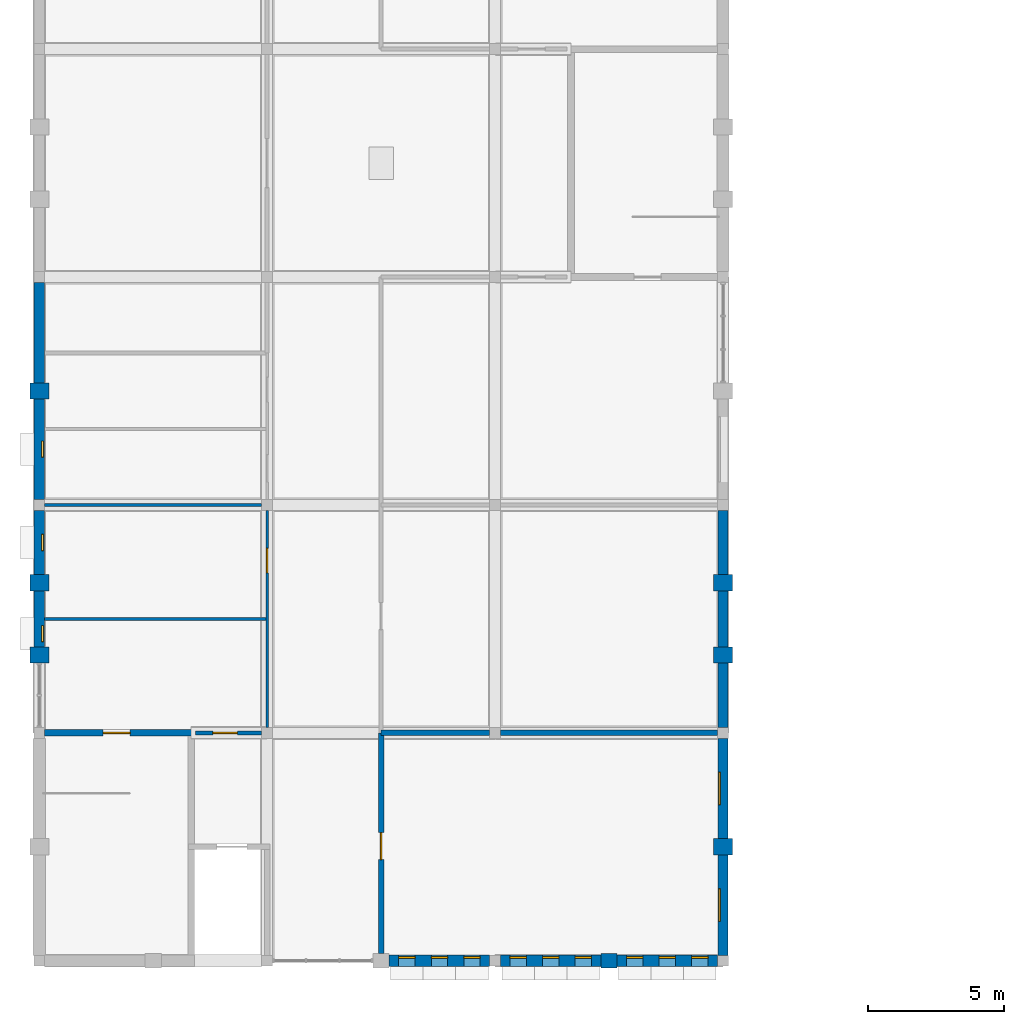
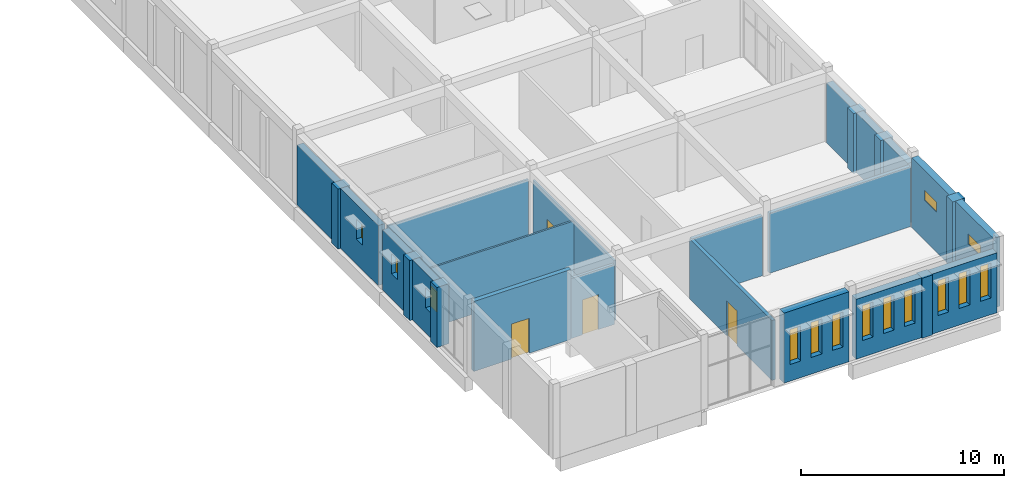
# One storey, part 10 of 15: 27 walls, 14 windows, 4 doors, 18 openings.
"""IFC4 building model written with IfcOpenShell, lengths in metres."""

from ifc_helpers import new_model, si_unit, direction, frame, frame_2d, origin, place, context, subcontext, project, spatial, rectangle, extrude, material, layer, layer_set, type_object, element, fill, save


model = new_model("IFC4")

# Units and contexts
model_context = context("Model", 3, precision=1e-05, world=origin(), true_north=direction((0.0, 1.0)))
body_context = subcontext(model_context, "Body", "Model", "MODEL_VIEW")
ifc_project = project(units=[si_unit("LENGTHUNIT", "METRE"), si_unit("AREAUNIT", "SQUARE_METRE"), si_unit("VOLUMEUNIT", "CUBIC_METRE"), si_unit("PLANEANGLEUNIT", "RADIAN"), si_unit("MASSUNIT", "GRAM", prefix="KILO")], contexts=[model_context])

# Site, building, storey
site_placement = place(None, origin())
site = spatial("IfcSite", under=ifc_project, at=site_placement, CompositionType="ELEMENT")
building_placement = place(site_placement, origin())
building = spatial("IfcBuilding", under=site, at=building_placement, Name="Fescue Hill Polytechnic", CompositionType="ELEMENT")
storey_placement = place(building_placement, frame((0.0, 0.0, 31.5)))
storey = spatial("IfcBuildingStorey", under=building, at=storey_placement, Name="L07", CompositionType="ELEMENT", Elevation=31.5)

# Wall
ifc_material_1 = material(Name="Clay brick masonry", Category="masonry")
ifc_layer_1 = layer(ifc_material_1, 0.550048828125)
ifc_layer_set_1 = layer_set([ifc_layer_1], Name="Clay brick masonry")
wall_type_1 = type_object("IfcWallType", Name="Brick pier 600x550", PredefinedType="SOLIDWALL", material=ifc_layer_set_1)
wall_1_placement = place(storey_placement, frame((20.699951171875, 50.39990234375, 0.0), z_axis=(0.0, 0.0, 1.0), x_axis=(1.0, 0.0, 0.0)))
element("IfcWall", 1, at=wall_1_placement, inside=storey, type_object=wall_type_1, Name="PR-L07-V4-25", PredefinedType="SOLIDWALL", context=body_context, shape_type="SweptSolid", body=[
    extrude(rectangle(XDim=0.60009765625, YDim=0.550048828125, at=frame_2d((0.300048828125, 0.0))), origin(), (0.0, 0.0, 1.0), 3.60009765625),
])

# Wall, opening, door
ifc_material_2 = material(Name="Concrete 40 MPa", Category="concrete")
ifc_layer_2 = layer(ifc_material_2, 0.25)
ifc_layer_set_2 = layer_set([ifc_layer_2], Name="Concrete 40 MPa")
wall_type_2 = type_object("IfcWallType", Name="Core wall 250", PredefinedType="SHEAR", material=ifc_layer_set_2)
wall_2_placement = place(storey_placement, frame((0.199951171875, 58.800048828125, 0.0), z_axis=(0.0, 0.0, 1.0), x_axis=(1.0, 0.0, 0.0)))
wall_2 = element("IfcWall", 2, at=wall_2_placement, inside=storey, type_object=wall_type_2, Name="CW-L07-ST-V4-1-21", PredefinedType="SHEAR", context=body_context, shape_type="SweptSolid", body=[
    extrude(rectangle(XDim=5.525146484375, YDim=0.25, at=frame_2d((2.7626953125, 0.0))), origin(), (0.0, 0.0, 1.0), 4.199951171875),
])
opening_1_placement = place(wall_2_placement, frame((2.14990234375, 0.0, 0.0)))
opening_1 = element("IfcOpeningElement", 3, at=opening_1_placement, cuts=wall_2, Name="Opening D7023", PredefinedType="OPENING", context=body_context, shape_type="SweptSolid", body=[
    extrude(rectangle(XDim=1.0, YDim=2.10009765625, at=frame_2d((0.5, 1.050048828125))), frame((0.0, 0.135009765625, 0.0), z_axis=(0.0, -1.0, 0.0), x_axis=(1.0, 0.0, 0.0)), (0.0, 0.0, 1.0), 0.27001953125),
])
ifc_material_3 = material(Name="Steel fire door", Category="steel")
door_type_1 = type_object("IfcDoorType", Name="Door single swing 1000x2100 stair fire rated", OperationType="NOTDEFINED", PredefinedType="DOOR", material=ifc_material_3)
door_1_placement = place(opening_1_placement, origin())
door_1 = element("IfcDoor", 4, at=door_1_placement, inside=storey, type_object=door_type_1, Name="L07 ST-V4-1 stair door", OperationType="SINGLE_SWING_RIGHT", OverallHeight=2.10009765625, OverallWidth=1.0, PredefinedType="DOOR", context=body_context, shape_type="SweptSolid", body=[
    extrude(rectangle(XDim=1.0, YDim=2.10009765625, at=frame_2d((0.5, 1.050048828125))), frame((0.0, 0.02490234375, 0.0), z_axis=(0.0, -1.0, 0.0), x_axis=(1.0, 0.0, 0.0)), (0.0, 0.0, 1.0), 0.050048828125),
])
fill(opening_1, door_1)

# Wall, openings, windows
ifc_layer_3 = layer(ifc_material_1, 0.419921875)
ifc_layer_set_3 = layer_set([ifc_layer_3], Name="Clay brick masonry")
wall_type_3 = type_object("IfcWallType", Name="Exterior wall buff-red brick cavity 420", PredefinedType="SOLIDWALL", material=ifc_layer_set_3)
wall_3_placement = place(storey_placement, frame((12.89990234375, 50.39990234375, 0.0), z_axis=(0.0, 0.0, 1.0), x_axis=(1.0, 0.0, 0.0)))
wall_3 = element("IfcWall", 5, at=wall_3_placement, inside=storey, type_object=wall_type_3, Name="EW-L07-V4-40", PredefinedType="SOLIDWALL", context=body_context, shape_type="SweptSolid", body=[
    extrude(rectangle(XDim=3.7001953125, YDim=0.419921875, at=frame_2d((1.85009765625, 0.0))), origin(), (0.0, 0.0, 1.0), 4.199951171875),
])
opening_2_placement = place(wall_3_placement, frame((0.35009765625, 0.0, 1.0)))
opening_2 = element("IfcOpeningElement", 6, at=opening_2_placement, cuts=wall_3, Name="Opening W6", PredefinedType="OPENING", context=body_context, shape_type="SweptSolid", body=[
    extrude(rectangle(XDim=0.60009765625, YDim=2.10009765625, at=frame_2d((0.300048828125, 1.050048828125))), frame((0.0, 0.219970703125, 0.0), z_axis=(0.0, -1.0, 0.0), x_axis=(1.0, 0.0, 0.0)), (0.0, 0.0, 1.0), 0.43994140625),
])
opening_3_placement = place(wall_3_placement, frame((1.550048828125, 0.0, 1.0)))
opening_3 = element("IfcOpeningElement", 7, at=opening_3_placement, cuts=wall_3, Name="Opening W6", PredefinedType="OPENING", context=body_context, shape_type="SweptSolid", body=[
    extrude(rectangle(XDim=0.60009765625, YDim=2.10009765625, at=frame_2d((0.300048828125, 1.050048828125))), frame((0.0, 0.219970703125, 0.0), z_axis=(0.0, -1.0, 0.0), x_axis=(1.0, 0.0, 0.0)), (0.0, 0.0, 1.0), 0.43994140625),
])
opening_4_placement = place(wall_3_placement, frame((2.75, 0.0, 1.0)))
opening_4 = element("IfcOpeningElement", 8, at=opening_4_placement, cuts=wall_3, Name="Opening W6", PredefinedType="OPENING", context=body_context, shape_type="SweptSolid", body=[
    extrude(rectangle(XDim=0.60009765625, YDim=2.10009765625, at=frame_2d((0.300048828125, 1.050048828125))), frame((0.0, 0.219970703125, 0.0), z_axis=(0.0, -1.0, 0.0), x_axis=(1.0, 0.0, 0.0)), (0.0, 0.0, 1.0), 0.43994140625),
])
ifc_material_4 = material(Name="Powder-coated aluminium and glass", Category="aluminium")
window_type_1 = type_object("IfcWindowType", Name="Window slot 600x2100", PartitioningType="SINGLE_PANEL", PredefinedType="WINDOW", material=ifc_material_4)
window_1_placement = place(opening_2_placement, origin())
window_1 = element("IfcWindow", 9, at=window_1_placement, inside=storey, type_object=window_type_1, Name="WN-L07-V4-12", OverallHeight=2.10009765625, OverallWidth=0.60009765625, PartitioningType="SINGLE_PANEL", PredefinedType="WINDOW", context=body_context, shape_type="SweptSolid", body=[
    extrude(rectangle(XDim=0.60009765625, YDim=2.10009765625, at=frame_2d((0.300048828125, 1.050048828125))), frame((0.0, 0.150146484375, 0.0), z_axis=(0.0, -1.0, 0.0), x_axis=(1.0, 0.0, 0.0)), (0.0, 0.0, 1.0), 0.06005859375),
])
fill(opening_2, window_1)
window_2_placement = place(opening_3_placement, origin())
window_2 = element("IfcWindow", 10, at=window_2_placement, inside=storey, type_object=window_type_1, Name="WN-L07-V4-13", OverallHeight=2.10009765625, OverallWidth=0.60009765625, PartitioningType="SINGLE_PANEL", PredefinedType="WINDOW", context=body_context, shape_type="SweptSolid", body=[
    extrude(rectangle(XDim=0.60009765625, YDim=2.10009765625, at=frame_2d((0.300048828125, 1.050048828125))), frame((0.0, 0.150146484375, 0.0), z_axis=(0.0, -1.0, 0.0), x_axis=(1.0, 0.0, 0.0)), (0.0, 0.0, 1.0), 0.06005859375),
])
fill(opening_3, window_2)
window_3_placement = place(opening_4_placement, origin())
window_3 = element("IfcWindow", 11, at=window_3_placement, inside=storey, type_object=window_type_1, Name="WN-L07-V4-14", OverallHeight=2.10009765625, OverallWidth=0.60009765625, PartitioningType="SINGLE_PANEL", PredefinedType="WINDOW", context=body_context, shape_type="SweptSolid", body=[
    extrude(rectangle(XDim=0.60009765625, YDim=2.10009765625, at=frame_2d((0.300048828125, 1.050048828125))), frame((0.0, 0.150146484375, 0.0), z_axis=(0.0, -1.0, 0.0), x_axis=(1.0, 0.0, 0.0)), (0.0, 0.0, 1.0), 0.06005859375),
])
fill(opening_4, window_3)

wall_4_placement = place(storey_placement, frame((17.0, 50.39990234375, 0.0), z_axis=(0.0, 0.0, 1.0), x_axis=(1.0, 0.0, 0.0)))
wall_4 = element("IfcWall", 12, at=wall_4_placement, inside=storey, type_object=wall_type_3, Name="EW-L07-V4-41", PredefinedType="SOLIDWALL", context=body_context, shape_type="SweptSolid", body=[
    extrude(rectangle(XDim=3.699951171875, YDim=0.419921875, at=frame_2d((1.85009765625, 0.0))), origin(), (0.0, 0.0, 1.0), 3.60009765625),
])
opening_5_placement = place(wall_4_placement, frame((0.35009765625, 0.0, 1.0)))
opening_5 = element("IfcOpeningElement", 13, at=opening_5_placement, cuts=wall_4, Name="Opening W6", PredefinedType="OPENING", context=body_context, shape_type="SweptSolid", body=[
    extrude(rectangle(XDim=0.60009765625, YDim=2.10009765625, at=frame_2d((0.300048828125, 1.050048828125))), frame((0.0, 0.219970703125, 0.0), z_axis=(0.0, -1.0, 0.0), x_axis=(1.0, 0.0, 0.0)), (0.0, 0.0, 1.0), 0.43994140625),
])
opening_6_placement = place(wall_4_placement, frame((1.550048828125, 0.0, 1.0)))
opening_6 = element("IfcOpeningElement", 14, at=opening_6_placement, cuts=wall_4, Name="Opening W6", PredefinedType="OPENING", context=body_context, shape_type="SweptSolid", body=[
    extrude(rectangle(XDim=0.60009765625, YDim=2.10009765625, at=frame_2d((0.300048828125, 1.050048828125))), frame((0.0, 0.219970703125, 0.0), z_axis=(0.0, -1.0, 0.0), x_axis=(1.0, 0.0, 0.0)), (0.0, 0.0, 1.0), 0.43994140625),
])
opening_7_placement = place(wall_4_placement, frame((2.75, 0.0, 1.0)))
opening_7 = element("IfcOpeningElement", 15, at=opening_7_placement, cuts=wall_4, Name="Opening W6", PredefinedType="OPENING", context=body_context, shape_type="SweptSolid", body=[
    extrude(rectangle(XDim=0.60009765625, YDim=2.10009765625, at=frame_2d((0.300048828125, 1.050048828125))), frame((0.0, 0.219970703125, 0.0), z_axis=(0.0, -1.0, 0.0), x_axis=(1.0, 0.0, 0.0)), (0.0, 0.0, 1.0), 0.43994140625),
])
window_4_placement = place(opening_5_placement, origin())
window_4 = element("IfcWindow", 16, at=window_4_placement, inside=storey, type_object=window_type_1, Name="WN-L07-V4-15", OverallHeight=2.10009765625, OverallWidth=0.60009765625, PartitioningType="SINGLE_PANEL", PredefinedType="WINDOW", context=body_context, shape_type="SweptSolid", body=[
    extrude(rectangle(XDim=0.60009765625, YDim=2.10009765625, at=frame_2d((0.300048828125, 1.050048828125))), frame((0.0, 0.150146484375, 0.0), z_axis=(0.0, -1.0, 0.0), x_axis=(1.0, 0.0, 0.0)), (0.0, 0.0, 1.0), 0.06005859375),
])
fill(opening_5, window_4)
window_5_placement = place(opening_6_placement, origin())
window_5 = element("IfcWindow", 17, at=window_5_placement, inside=storey, type_object=window_type_1, Name="WN-L07-V4-16", OverallHeight=2.10009765625, OverallWidth=0.60009765625, PartitioningType="SINGLE_PANEL", PredefinedType="WINDOW", context=body_context, shape_type="SweptSolid", body=[
    extrude(rectangle(XDim=0.60009765625, YDim=2.10009765625, at=frame_2d((0.300048828125, 1.050048828125))), frame((0.0, 0.150146484375, 0.0), z_axis=(0.0, -1.0, 0.0), x_axis=(1.0, 0.0, 0.0)), (0.0, 0.0, 1.0), 0.06005859375),
])
fill(opening_6, window_5)
window_6_placement = place(opening_7_placement, origin())
window_6 = element("IfcWindow", 18, at=window_6_placement, inside=storey, type_object=window_type_1, Name="WN-L07-V4-17", OverallHeight=2.10009765625, OverallWidth=0.60009765625, PartitioningType="SINGLE_PANEL", PredefinedType="WINDOW", context=body_context, shape_type="SweptSolid", body=[
    extrude(rectangle(XDim=0.60009765625, YDim=2.10009765625, at=frame_2d((0.300048828125, 1.050048828125))), frame((0.0, 0.150146484375, 0.0), z_axis=(0.0, -1.0, 0.0), x_axis=(1.0, 0.0, 0.0)), (0.0, 0.0, 1.0), 0.06005859375),
])
fill(opening_7, window_6)

wall_5_placement = place(storey_placement, frame((21.300048828125, 50.39990234375, 0.0), z_axis=(0.0, 0.0, 1.0), x_axis=(1.0, 0.0, 0.0)))
wall_5 = element("IfcWall", 19, at=wall_5_placement, inside=storey, type_object=wall_type_3, Name="EW-L07-V4-42", PredefinedType="SOLIDWALL", context=body_context, shape_type="SweptSolid", body=[
    extrude(rectangle(XDim=3.699951171875, YDim=0.419921875, at=frame_2d((1.85009765625, 0.0))), origin(), (0.0, 0.0, 1.0), 3.60009765625),
])
opening_8_placement = place(wall_5_placement, frame((0.35009765625, 0.0, 1.0)))
opening_8 = element("IfcOpeningElement", 20, at=opening_8_placement, cuts=wall_5, Name="Opening W6", PredefinedType="OPENING", context=body_context, shape_type="SweptSolid", body=[
    extrude(rectangle(XDim=0.60009765625, YDim=2.10009765625, at=frame_2d((0.300048828125, 1.050048828125))), frame((0.0, 0.219970703125, 0.0), z_axis=(0.0, -1.0, 0.0), x_axis=(1.0, 0.0, 0.0)), (0.0, 0.0, 1.0), 0.43994140625),
])
opening_9_placement = place(wall_5_placement, frame((1.550048828125, 0.0, 1.0)))
opening_9 = element("IfcOpeningElement", 21, at=opening_9_placement, cuts=wall_5, Name="Opening W6", PredefinedType="OPENING", context=body_context, shape_type="SweptSolid", body=[
    extrude(rectangle(XDim=0.60009765625, YDim=2.10009765625, at=frame_2d((0.300048828125, 1.050048828125))), frame((0.0, 0.219970703125, 0.0), z_axis=(0.0, -1.0, 0.0), x_axis=(1.0, 0.0, 0.0)), (0.0, 0.0, 1.0), 0.43994140625),
])
opening_10_placement = place(wall_5_placement, frame((2.75, 0.0, 1.0)))
opening_10 = element("IfcOpeningElement", 22, at=opening_10_placement, cuts=wall_5, Name="Opening W6", PredefinedType="OPENING", context=body_context, shape_type="SweptSolid", body=[
    extrude(rectangle(XDim=0.60009765625, YDim=2.10009765625, at=frame_2d((0.300048828125, 1.050048828125))), frame((0.0, 0.219970703125, 0.0), z_axis=(0.0, -1.0, 0.0), x_axis=(1.0, 0.0, 0.0)), (0.0, 0.0, 1.0), 0.43994140625),
])
window_7_placement = place(opening_8_placement, origin())
window_7 = element("IfcWindow", 23, at=window_7_placement, inside=storey, type_object=window_type_1, Name="WN-L07-V4-18", OverallHeight=2.10009765625, OverallWidth=0.60009765625, PartitioningType="SINGLE_PANEL", PredefinedType="WINDOW", context=body_context, shape_type="SweptSolid", body=[
    extrude(rectangle(XDim=0.60009765625, YDim=2.10009765625, at=frame_2d((0.300048828125, 1.050048828125))), frame((0.0, 0.150146484375, 0.0), z_axis=(0.0, -1.0, 0.0), x_axis=(1.0, 0.0, 0.0)), (0.0, 0.0, 1.0), 0.06005859375),
])
fill(opening_8, window_7)
window_8_placement = place(opening_9_placement, origin())
window_8 = element("IfcWindow", 24, at=window_8_placement, inside=storey, type_object=window_type_1, Name="WN-L07-V4-19", OverallHeight=2.10009765625, OverallWidth=0.60009765625, PartitioningType="SINGLE_PANEL", PredefinedType="WINDOW", context=body_context, shape_type="SweptSolid", body=[
    extrude(rectangle(XDim=0.60009765625, YDim=2.10009765625, at=frame_2d((0.300048828125, 1.050048828125))), frame((0.0, 0.150146484375, 0.0), z_axis=(0.0, -1.0, 0.0), x_axis=(1.0, 0.0, 0.0)), (0.0, 0.0, 1.0), 0.06005859375),
])
fill(opening_9, window_8)
window_9_placement = place(opening_10_placement, origin())
window_9 = element("IfcWindow", 25, at=window_9_placement, inside=storey, type_object=window_type_1, Name="WN-L07-V4-20", OverallHeight=2.10009765625, OverallWidth=0.60009765625, PartitioningType="SINGLE_PANEL", PredefinedType="WINDOW", context=body_context, shape_type="SweptSolid", body=[
    extrude(rectangle(XDim=0.60009765625, YDim=2.10009765625, at=frame_2d((0.300048828125, 1.050048828125))), frame((0.0, 0.150146484375, 0.0), z_axis=(0.0, -1.0, 0.0), x_axis=(1.0, 0.0, 0.0)), (0.0, 0.0, 1.0), 0.06005859375),
])
fill(opening_10, window_9)

# Wall, opening, window
ifc_material_5 = material(Name="Terracotta rainscreen on concrete block", Category="masonry")
ifc_layer_4 = layer(ifc_material_5, 0.3798828125)
ifc_layer_set_4 = layer_set([ifc_layer_4], Name="Terracotta rainscreen on concrete block")
wall_type_4 = type_object("IfcWallType", Name="Exterior wall rainscreen terracotta on blockwork 380", PredefinedType="SOLIDWALL", material=ifc_layer_set_4)
wall_6_placement = place(storey_placement, frame((25.199951171875, 50.60009765625, 0.0), z_axis=(0.0, 0.0, 1.0), x_axis=(0.0, 1.0, 0.0)))
wall_6 = element("IfcWall", 26, at=wall_6_placement, inside=storey, type_object=wall_type_4, Name="EW-L07-V4-1", PredefinedType="SOLIDWALL", context=body_context, shape_type="SweptSolid", body=[
    extrude(rectangle(XDim=3.699951171875, YDim=0.3798828125, at=frame_2d((1.85009765625, 0.0))), origin(), (0.0, 0.0, 1.0), 4.199951171875),
])
opening_11_placement = place(wall_6_placement, frame((1.25, 0.0, 2.39990234375)))
opening_11 = element("IfcOpeningElement", 27, at=opening_11_placement, cuts=wall_6, Name="Opening W12", PredefinedType="OPENING", context=body_context, shape_type="SweptSolid", body=[
    extrude(rectangle(XDim=1.199951171875, YDim=0.60009765625, at=frame_2d((0.60009765625, 0.300048828125))), frame((0.0, 0.199951171875, 0.0), z_axis=(0.0, -1.0, 0.0), x_axis=(1.0, 0.0, 0.0)), (0.0, 0.0, 1.0), 0.39990234375),
])
window_type_2 = type_object("IfcWindowType", Name="Window plant and store high-level 1200x600", PartitioningType="SINGLE_PANEL", PredefinedType="WINDOW", material=ifc_material_4)
window_10_placement = place(opening_11_placement, origin())
window_10 = element("IfcWindow", 28, at=window_10_placement, inside=storey, type_object=window_type_2, Name="WN-L07-V4-1", OverallHeight=0.60009765625, OverallWidth=1.199951171875, PartitioningType="SINGLE_PANEL", PredefinedType="WINDOW", context=body_context, shape_type="SweptSolid", body=[
    extrude(rectangle(XDim=1.199951171875, YDim=0.60009765625, at=frame_2d((0.60009765625, 0.300048828125))), frame((0.0, 0.150146484375, 0.0), z_axis=(0.0, -1.0, 0.0), x_axis=(1.0, 0.0, 0.0)), (0.0, 0.0, 1.0), 0.06005859375),
])
fill(opening_11, window_10)

wall_7_placement = place(storey_placement, frame((25.199951171875, 54.89990234375, 0.0), z_axis=(0.0, 0.0, 1.0), x_axis=(0.0, 1.0, 0.0)))
wall_7 = element("IfcWall", 29, at=wall_7_placement, inside=storey, type_object=wall_type_4, Name="EW-L07-V4-2", PredefinedType="SOLIDWALL", context=body_context, shape_type="SweptSolid", body=[
    extrude(rectangle(XDim=3.7001953125, YDim=0.3798828125, at=frame_2d((1.85009765625, 0.0))), origin(), (0.0, 0.0, 1.0), 4.199951171875),
])
opening_12_placement = place(wall_7_placement, frame((1.25, 0.0, 2.39990234375)))
opening_12 = element("IfcOpeningElement", 30, at=opening_12_placement, cuts=wall_7, Name="Opening W12", PredefinedType="OPENING", context=body_context, shape_type="SweptSolid", body=[
    extrude(rectangle(XDim=1.199951171875, YDim=0.60009765625, at=frame_2d((0.60009765625, 0.300048828125))), frame((0.0, 0.199951171875, 0.0), z_axis=(0.0, -1.0, 0.0), x_axis=(1.0, 0.0, 0.0)), (0.0, 0.0, 1.0), 0.39990234375),
])
window_11_placement = place(opening_12_placement, origin())
window_11 = element("IfcWindow", 31, at=window_11_placement, inside=storey, type_object=window_type_2, Name="WN-L07-V4-2", OverallHeight=0.60009765625, OverallWidth=1.199951171875, PartitioningType="SINGLE_PANEL", PredefinedType="WINDOW", context=body_context, shape_type="SweptSolid", body=[
    extrude(rectangle(XDim=1.199951171875, YDim=0.60009765625, at=frame_2d((0.60009765625, 0.300048828125))), frame((0.0, 0.150146484375, 0.0), z_axis=(0.0, -1.0, 0.0), x_axis=(1.0, 0.0, 0.0)), (0.0, 0.0, 1.0), 0.06005859375),
])
fill(opening_12, window_11)

# Walls
wall_8_placement = place(storey_placement, frame((25.199951171875, 59.0, 0.0), z_axis=(0.0, 0.0, 1.0), x_axis=(0.0, 1.0, 0.0)))
element("IfcWall", 32, at=wall_8_placement, inside=storey, type_object=wall_type_4, Name="EW-L07-V4-3", PredefinedType="SOLIDWALL", context=body_context, shape_type="SweptSolid", body=[
    extrude(rectangle(XDim=2.36669921875, YDim=0.3798828125, at=frame_2d((1.183349609375, 0.0))), origin(), (0.0, 0.0, 1.0), 3.60009765625),
])
wall_9_placement = place(storey_placement, frame((25.199951171875, 61.966796875, 0.0), z_axis=(0.0, 0.0, 1.0), x_axis=(0.0, 1.0, 0.0)))
element("IfcWall", 33, at=wall_9_placement, inside=storey, type_object=wall_type_4, Name="EW-L07-V4-4", PredefinedType="SOLIDWALL", context=body_context, shape_type="SweptSolid", body=[
    extrude(rectangle(XDim=2.06640625, YDim=0.3798828125, at=frame_2d((1.033203125, 0.0))), origin(), (0.0, 0.0, 1.0), 3.60009765625),
])
wall_10_placement = place(storey_placement, frame((25.199951171875, 64.63330078125, 0.0), z_axis=(0.0, 0.0, 1.0), x_axis=(0.0, 1.0, 0.0)))
element("IfcWall", 34, at=wall_10_placement, inside=storey, type_object=wall_type_4, Name="EW-L07-V4-5", PredefinedType="SOLIDWALL", context=body_context, shape_type="SweptSolid", body=[
    extrude(rectangle(XDim=2.36669921875, YDim=0.3798828125, at=frame_2d((1.183349609375, 0.0))), origin(), (0.0, 0.0, 1.0), 3.60009765625),
])
wall_11_placement = place(storey_placement, frame((0.0, 75.39990234375, 0.0), z_axis=(0.0, 0.0, 1.0), x_axis=(0.0, -1.0, 0.0)))
element("IfcWall", 35, at=wall_11_placement, inside=storey, type_object=wall_type_4, Name="EW-L07-V4-30", PredefinedType="SOLIDWALL", context=body_context, shape_type="SweptSolid", body=[
    extrude(rectangle(XDim=3.699951171875, YDim=0.3798828125, at=frame_2d((1.85009765625, 0.0))), origin(), (0.0, 0.0, 1.0), 3.60009765625),
])

# Wall, opening, window
wall_12_placement = place(storey_placement, frame((0.0, 71.10009765625, 0.0), z_axis=(0.0, 0.0, 1.0), x_axis=(0.0, -1.0, 0.0)))
wall_12 = element("IfcWall", 36, at=wall_12_placement, inside=storey, type_object=wall_type_4, Name="EW-L07-V4-31", PredefinedType="SOLIDWALL", context=body_context, shape_type="SweptSolid", body=[
    extrude(rectangle(XDim=3.7001953125, YDim=0.3798828125, at=frame_2d((1.85009765625, 0.0))), origin(), (0.0, 0.0, 1.0), 3.60009765625),
])
opening_13_placement = place(wall_12_placement, frame((1.550048828125, 0.0, 1.5)))
opening_13 = element("IfcOpeningElement", 37, at=opening_13_placement, cuts=wall_12, Name="Opening W11", PredefinedType="OPENING", context=body_context, shape_type="SweptSolid", body=[
    extrude(rectangle(XDim=0.60009765625, YDim=1.199951171875, at=frame_2d((0.300048828125, 0.60009765625))), frame((0.0, 0.199951171875, 0.0), z_axis=(0.0, -1.0, 0.0), x_axis=(1.0, 0.0, 0.0)), (0.0, 0.0, 1.0), 0.39990234375),
])
window_type_3 = type_object("IfcWindowType", Name="Window WC high-level 600x1200", PartitioningType="SINGLE_PANEL", PredefinedType="WINDOW", material=ifc_material_4)
window_12_placement = place(opening_13_placement, origin())
window_12 = element("IfcWindow", 38, at=window_12_placement, inside=storey, type_object=window_type_3, Name="WN-L07-V4-9", OverallHeight=1.199951171875, OverallWidth=0.60009765625, PartitioningType="SINGLE_PANEL", PredefinedType="WINDOW", context=body_context, shape_type="SweptSolid", body=[
    extrude(rectangle(XDim=0.60009765625, YDim=1.199951171875, at=frame_2d((0.300048828125, 0.60009765625))), frame((0.0, 0.150146484375, 0.0), z_axis=(0.0, -1.0, 0.0), x_axis=(1.0, 0.0, 0.0)), (0.0, 0.0, 1.0), 0.06005859375),
])
fill(opening_13, window_12)

wall_13_placement = place(storey_placement, frame((0.0, 67.0, 0.0), z_axis=(0.0, 0.0, 1.0), x_axis=(0.0, -1.0, 0.0)))
wall_13 = element("IfcWall", 39, at=wall_13_placement, inside=storey, type_object=wall_type_4, Name="EW-L07-V4-32", PredefinedType="SOLIDWALL", context=body_context, shape_type="SweptSolid", body=[
    extrude(rectangle(XDim=2.36669921875, YDim=0.3798828125, at=frame_2d((1.183349609375, 0.0))), origin(), (0.0, 0.0, 1.0), 3.60009765625),
])
opening_14_placement = place(wall_13_placement, frame((0.88330078125, 0.0, 1.5)))
opening_14 = element("IfcOpeningElement", 40, at=opening_14_placement, cuts=wall_13, Name="Opening W11", PredefinedType="OPENING", context=body_context, shape_type="SweptSolid", body=[
    extrude(rectangle(XDim=0.60009765625, YDim=1.199951171875, at=frame_2d((0.300048828125, 0.60009765625))), frame((0.0, 0.199951171875, 0.0), z_axis=(0.0, -1.0, 0.0), x_axis=(1.0, 0.0, 0.0)), (0.0, 0.0, 1.0), 0.39990234375),
])
window_13_placement = place(opening_14_placement, origin())
window_13 = element("IfcWindow", 41, at=window_13_placement, inside=storey, type_object=window_type_3, Name="WN-L07-V4-10", OverallHeight=1.199951171875, OverallWidth=0.60009765625, PartitioningType="SINGLE_PANEL", PredefinedType="WINDOW", context=body_context, shape_type="SweptSolid", body=[
    extrude(rectangle(XDim=0.60009765625, YDim=1.199951171875, at=frame_2d((0.300048828125, 0.60009765625))), frame((0.0, 0.150146484375, 0.0), z_axis=(0.0, -1.0, 0.0), x_axis=(1.0, 0.0, 0.0)), (0.0, 0.0, 1.0), 0.06005859375),
])
fill(opening_14, window_13)

wall_14_placement = place(storey_placement, frame((0.0, 64.033203125, 0.0), z_axis=(0.0, 0.0, 1.0), x_axis=(0.0, -1.0, 0.0)))
wall_14 = element("IfcWall", 42, at=wall_14_placement, inside=storey, type_object=wall_type_4, Name="EW-L07-V4-33", PredefinedType="SOLIDWALL", context=body_context, shape_type="SweptSolid", body=[
    extrude(rectangle(XDim=2.06640625, YDim=0.3798828125, at=frame_2d((1.033203125, 0.0))), origin(), (0.0, 0.0, 1.0), 3.60009765625),
])
opening_15_placement = place(wall_14_placement, frame((1.283203125, 0.0, 1.5)))
opening_15 = element("IfcOpeningElement", 43, at=opening_15_placement, cuts=wall_14, Name="Opening W11", PredefinedType="OPENING", context=body_context, shape_type="SweptSolid", body=[
    extrude(rectangle(XDim=0.60009765625, YDim=1.199951171875, at=frame_2d((0.300048828125, 0.60009765625))), frame((0.0, 0.199951171875, 0.0), z_axis=(0.0, -1.0, 0.0), x_axis=(1.0, 0.0, 0.0)), (0.0, 0.0, 1.0), 0.39990234375),
])
window_14_placement = place(opening_15_placement, origin())
window_14 = element("IfcWindow", 44, at=window_14_placement, inside=storey, type_object=window_type_3, Name="WN-L07-V4-11", OverallHeight=1.199951171875, OverallWidth=0.60009765625, PartitioningType="SINGLE_PANEL", PredefinedType="WINDOW", context=body_context, shape_type="SweptSolid", body=[
    extrude(rectangle(XDim=0.60009765625, YDim=1.199951171875, at=frame_2d((0.300048828125, 0.60009765625))), frame((0.0, 0.150146484375, 0.0), z_axis=(0.0, -1.0, 0.0), x_axis=(1.0, 0.0, 0.0)), (0.0, 0.0, 1.0), 0.06005859375),
])
fill(opening_15, window_14)

# Walls
ifc_layer_5 = layer(ifc_material_2, 0.699951171875)
ifc_layer_set_5 = layer_set([ifc_layer_5], Name="Concrete 40 MPa")
wall_type_5 = type_object("IfcWallType", Name="Fin wall board-marked 600x700", PredefinedType="SOLIDWALL", material=ifc_layer_set_5)
wall_15_placement = place(storey_placement, frame((25.199951171875, 54.300048828125, 0.0), z_axis=(0.0, 0.0, 1.0), x_axis=(0.0, 1.0, 0.0)))
element("IfcWall", 45, at=wall_15_placement, inside=storey, type_object=wall_type_5, Name="PR-L07-V4-1", PredefinedType="SOLIDWALL", context=body_context, shape_type="SweptSolid", body=[
    extrude(rectangle(XDim=0.599853515625, YDim=0.699951171875, at=frame_2d((0.2998046875, 0.0))), origin(), (0.0, 0.0, 1.0), 4.199951171875),
])
for number, where, z_axis, x_axis, name in (
    (46, (25.199951171875, 61.36669921875, 0.0), (0.0, 0.0, 1.0), (0.0, 1.0, 0.0), "PR-L07-V4-2"),
    (47, (25.199951171875, 64.033203125, 0.0), (0.0, 0.0, 1.0), (0.0, 1.0, 0.0), "PR-L07-V4-3"),
):
    element("IfcWall", number, at=place(storey_placement, frame(where, z_axis=z_axis, x_axis=x_axis)), inside=storey, type_object=wall_type_5, Name=name, PredefinedType="SOLIDWALL", context=body_context, shape_type="SweptSolid", body=[
        extrude(rectangle(XDim=0.60009765625, YDim=0.699951171875, at=frame_2d((0.300048828125, 0.0))), origin(), (0.0, 0.0, 1.0), 3.60009765625),
    ])
wall_16_placement = place(storey_placement, frame((0.0, 71.699951171875, 0.0), z_axis=(0.0, 0.0, 1.0), x_axis=(0.0, -1.0, 0.0)))
element("IfcWall", 48, at=wall_16_placement, inside=storey, type_object=wall_type_5, Name="PR-L07-V4-19", PredefinedType="SOLIDWALL", context=body_context, shape_type="SweptSolid", body=[
    extrude(rectangle(XDim=0.599853515625, YDim=0.699951171875, at=frame_2d((0.2998046875, 0.0))), origin(), (0.0, 0.0, 1.0), 3.60009765625),
])
for number, where, z_axis, x_axis, name in (
    (49, (0.0, 64.63330078125, 0.0), (0.0, 0.0, 1.0), (0.0, -1.0, 0.0), "PR-L07-V4-20"),
    (50, (0.0, 61.966796875, 0.0), (0.0, 0.0, 1.0), (0.0, -1.0, 0.0), "PR-L07-V4-21"),
):
    element("IfcWall", number, at=place(storey_placement, frame(where, z_axis=z_axis, x_axis=x_axis)), inside=storey, type_object=wall_type_5, Name=name, PredefinedType="SOLIDWALL", context=body_context, shape_type="SweptSolid", body=[
        extrude(rectangle(XDim=0.60009765625, YDim=0.699951171875, at=frame_2d((0.300048828125, 0.0))), origin(), (0.0, 0.0, 1.0), 3.60009765625),
    ])

# Wall, opening, door
ifc_material_6 = material(Name="Gypsum board partition")
ifc_layer_6 = layer(ifc_material_6, 0.14990234375)
ifc_layer_set_6 = layer_set([ifc_layer_6], Name="Gypsum board partition")
wall_type_6 = type_object("IfcWallType", Name="Lobby wall 150 EI 60", PredefinedType="PARTITIONING", material=ifc_layer_set_6)
wall_17_placement = place(storey_placement, frame((5.75, 58.800048828125, 0.0), z_axis=(0.0, 0.0, 1.0), x_axis=(1.0, 0.0, 0.0)))
wall_17 = element("IfcWall", 51, at=wall_17_placement, inside=storey, type_object=wall_type_6, Name="IW-L07-001", PredefinedType="PARTITIONING", context=body_context, shape_type="SweptSolid", body=[
    extrude(rectangle(XDim=2.449951171875, YDim=0.14990234375, at=frame_2d((1.22509765625, 0.0))), origin(), (0.0, 0.0, 1.0), 3.60009765625),
])
opening_16_placement = place(wall_17_placement, frame((0.64990234375, 0.0, 0.0)))
opening_16 = element("IfcOpeningElement", 52, at=opening_16_placement, cuts=wall_17, Name="Opening D7002", PredefinedType="OPENING", context=body_context, shape_type="SweptSolid", body=[
    extrude(rectangle(XDim=0.89990234375, YDim=2.10009765625, at=frame_2d((0.449951171875, 1.050048828125))), frame((0.0, 0.0849609375, 0.0), z_axis=(0.0, -1.0, 0.0), x_axis=(1.0, 0.0, 0.0)), (0.0, 0.0, 1.0), 0.169921875),
])
ifc_material_7 = material(Name="Steel", Category="steel")
door_type_2 = type_object("IfcDoorType", Name="Door single swing 900x2100 FD60", OperationType="SINGLE_SWING_LEFT", PredefinedType="DOOR", material=ifc_material_7)
door_2_placement = place(opening_16_placement, origin())
door_2 = element("IfcDoor", 53, at=door_2_placement, inside=storey, type_object=door_type_2, Name="Door D7002", OperationType="SINGLE_SWING_LEFT", OverallHeight=2.10009765625, OverallWidth=0.89990234375, PredefinedType="DOOR", context=body_context, shape_type="SweptSolid", body=[
    extrude(rectangle(XDim=0.89990234375, YDim=2.10009765625, at=frame_2d((0.449951171875, 1.050048828125))), frame((0.0, 0.02490234375, 0.0), z_axis=(0.0, -1.0, 0.0), x_axis=(1.0, 0.0, 0.0)), (0.0, 0.0, 1.0), 0.050048828125),
])
fill(opening_16, door_2)

# Walls
ifc_material_8 = material(Name="Concrete masonry block 15 MPa", Category="masonry")
ifc_layer_7 = layer(ifc_material_8, 0.199951171875)
ifc_layer_set_7 = layer_set([ifc_layer_7], Name="Concrete masonry block 15 MPa")
wall_type_7 = type_object("IfcWallType", Name="Plant room wall 200 block EI 60", PredefinedType="PARTITIONING", material=ifc_layer_set_7)
wall_18_placement = place(storey_placement, frame((12.60009765625, 58.800048828125, 0.0), z_axis=(0.0, 0.0, 1.0), x_axis=(1.0, 0.0, 0.0)))
element("IfcWall", 54, at=wall_18_placement, inside=storey, type_object=wall_type_7, Name="IW-L07-002", PredefinedType="PARTITIONING", context=body_context, shape_type="SweptSolid", body=[
    extrude(rectangle(XDim=4.0, YDim=0.199951171875, at=frame_2d((2.0, 0.0))), origin(), (0.0, 0.0, 1.0), 3.60009765625),
])
wall_19_placement = place(storey_placement, frame((17.0, 58.800048828125, 0.0), z_axis=(0.0, 0.0, 1.0), x_axis=(1.0, 0.0, 0.0)))
element("IfcWall", 55, at=wall_19_placement, inside=storey, type_object=wall_type_7, Name="IW-L07-003", PredefinedType="PARTITIONING", context=body_context, shape_type="SweptSolid", body=[
    extrude(rectangle(XDim=8.0, YDim=0.199951171875, at=frame_2d((4.0, 0.0))), origin(), (0.0, 0.0, 1.0), 3.60009765625),
])

# Wall, opening, door
wall_20_placement = place(storey_placement, frame((12.60009765625, 50.675048828125, 0.0), z_axis=(0.0, 0.0, 1.0), x_axis=(0.0, 1.0, 0.0)))
wall_20 = element("IfcWall", 56, at=wall_20_placement, inside=storey, type_object=wall_type_7, Name="IW-L07-041", PredefinedType="PARTITIONING", context=body_context, shape_type="SweptSolid", body=[
    extrude(rectangle(XDim=8.125, YDim=0.199951171875, at=frame_2d((4.0625, 0.0))), origin(), (0.0, 0.0, 1.0), 3.60009765625),
])
opening_17_placement = place(wall_20_placement, frame((3.449951171875, 0.0, 0.0)))
opening_17 = element("IfcOpeningElement", 57, at=opening_17_placement, cuts=wall_20, Name="Opening D7008", PredefinedType="OPENING", context=body_context, shape_type="SweptSolid", body=[
    extrude(rectangle(XDim=1.0, YDim=2.10009765625, at=frame_2d((0.5, 1.050048828125))), frame((0.0, 0.10986328125, 0.0), z_axis=(0.0, -1.0, 0.0), x_axis=(1.0, 0.0, 0.0)), (0.0, 0.0, 1.0), 0.219970703125),
])
door_type_3 = type_object("IfcDoorType", Name="Door single swing 1000x2100 FD60", OperationType="SINGLE_SWING_LEFT", PredefinedType="DOOR", material=ifc_material_7)
door_3_placement = place(opening_17_placement, origin())
door_3 = element("IfcDoor", 58, at=door_3_placement, inside=storey, type_object=door_type_3, Name="Door D7008", OperationType="SINGLE_SWING_LEFT", OverallHeight=2.10009765625, OverallWidth=1.0, PredefinedType="DOOR", context=body_context, shape_type="SweptSolid", body=[
    extrude(rectangle(XDim=1.0, YDim=2.10009765625, at=frame_2d((0.5, 1.050048828125))), frame((0.0, 0.02490234375, 0.0), z_axis=(0.0, -1.0, 0.0), x_axis=(1.0, 0.0, 0.0)), (0.0, 0.0, 1.0), 0.050048828125),
])
fill(opening_17, door_3)

# Walls
ifc_layer_8 = layer(ifc_material_6, 0.10009765625)
ifc_layer_set_8 = layer_set([ifc_layer_8], Name="Gypsum board partition")
wall_type_8 = type_object("IfcWallType", Name="WC partition 100 moisture resistant", PredefinedType="PARTITIONING", material=ifc_layer_set_8)
wall_21_placement = place(storey_placement, frame((0.18994140625, 63.0, 0.0), z_axis=(0.0, 0.0, 1.0), x_axis=(1.0, 0.0, 0.0)))
element("IfcWall", 59, at=wall_21_placement, inside=storey, type_object=wall_type_8, Name="IW-L07-004", PredefinedType="PARTITIONING", context=body_context, shape_type="SweptSolid", body=[
    extrude(rectangle(XDim=8.2099609375, YDim=0.10009765625, at=frame_2d((4.10498046875, 0.0))), origin(), (0.0, 0.0, 1.0), 3.60009765625),
])
wall_22_placement = place(storey_placement, frame((0.199951171875, 67.199951171875, 0.0), z_axis=(0.0, 0.0, 1.0), x_axis=(1.0, 0.0, 0.0)))
element("IfcWall", 60, at=wall_22_placement, inside=storey, type_object=wall_type_8, Name="IW-L07-007", PredefinedType="PARTITIONING", context=body_context, shape_type="SweptSolid", body=[
    extrude(rectangle(XDim=8.0, YDim=0.10009765625, at=frame_2d((4.0, 0.0))), origin(), (0.0, 0.0, 1.0), 3.60009765625),
])

# Wall, opening, door
wall_23_placement = place(storey_placement, frame((8.39990234375, 59.0, 0.0), z_axis=(0.0, 0.0, 1.0), x_axis=(0.0, 1.0, 0.0)))
wall_23 = element("IfcWall", 61, at=wall_23_placement, inside=storey, type_object=wall_type_8, Name="IW-L07-036", PredefinedType="PARTITIONING", context=body_context, shape_type="SweptSolid", body=[
    extrude(rectangle(XDim=8.0, YDim=0.10009765625, at=frame_2d((4.0, 0.0))), origin(), (0.0, 0.0, 1.0), 3.60009765625),
])
opening_18_placement = place(wall_23_placement, frame((5.699951171875, 0.0, 0.0)))
opening_18 = element("IfcOpeningElement", 62, at=opening_18_placement, cuts=wall_23, Name="Opening D7003", PredefinedType="OPENING", context=body_context, shape_type="SweptSolid", body=[
    extrude(rectangle(XDim=0.89990234375, YDim=2.10009765625, at=frame_2d((0.449951171875, 1.050048828125))), frame((0.0, 0.06005859375, 0.0), z_axis=(0.0, -1.0, 0.0), x_axis=(1.0, 0.0, 0.0)), (0.0, 0.0, 1.0), 0.1201171875),
])
ifc_material_9 = material(Name="Timber", Category="wood")
door_type_4 = type_object("IfcDoorType", Name="Door single swing 900x2100 WC", OperationType="SINGLE_SWING_LEFT", PredefinedType="DOOR", material=ifc_material_9)
door_4_placement = place(opening_18_placement, origin())
door_4 = element("IfcDoor", 63, at=door_4_placement, inside=storey, type_object=door_type_4, Name="Door D7003", OperationType="SINGLE_SWING_RIGHT", OverallHeight=2.10009765625, OverallWidth=0.89990234375, PredefinedType="DOOR", context=body_context, shape_type="SweptSolid", body=[
    extrude(rectangle(XDim=0.89990234375, YDim=2.10009765625, at=frame_2d((0.449951171875, 1.050048828125))), frame((0.0, 0.02490234375, 0.0), z_axis=(0.0, -1.0, 0.0), x_axis=(1.0, 0.0, 0.0)), (0.0, 0.0, 1.0), 0.050048828125),
])
fill(opening_18, door_4)

save(model, "model.ifc")
